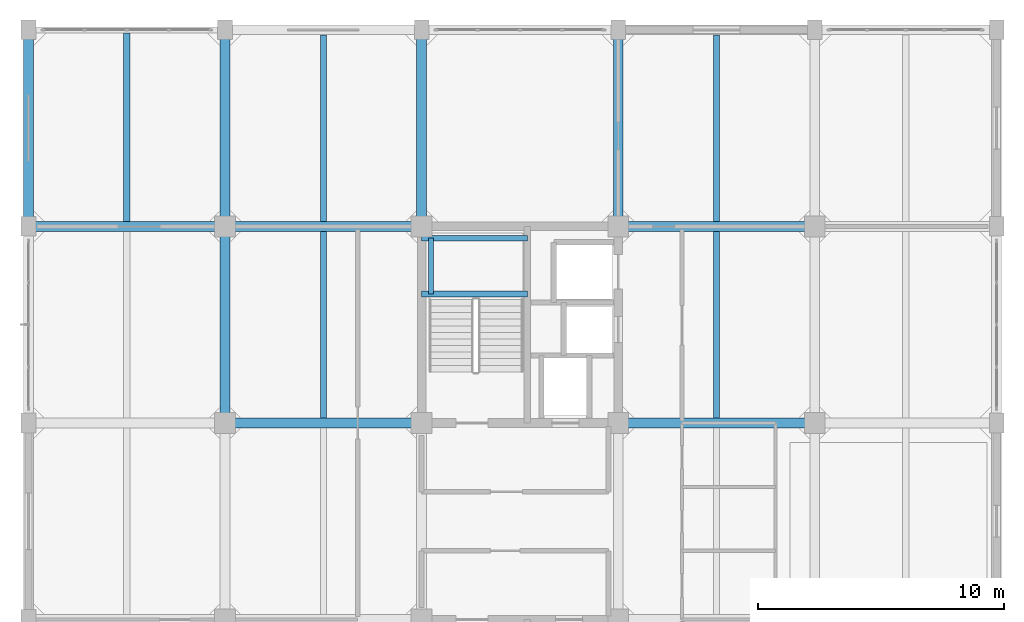
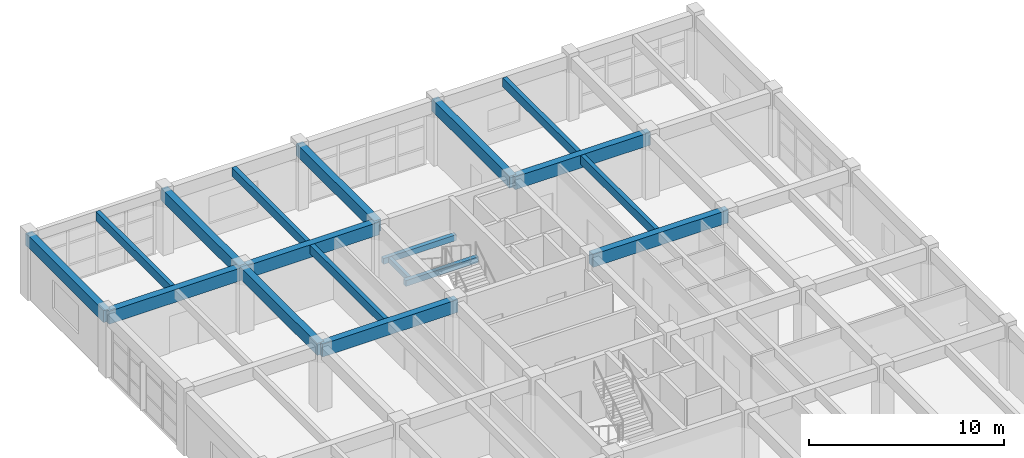
# One storey, part 12 of 27: 18 beams.
"""IFC4 building model written with IfcOpenShell, lengths in metres."""

from ifc_helpers import new_model, si_unit, direction, frame, origin, origin_2d, place, context, subcontext, project, spatial, rectangle, extrude, material, material_profile, profile_set, type_object, element, save


model = new_model("IFC4")

# Units and contexts
model_context = context("Model", 3, precision=1e-05, world=origin(), true_north=direction((0.0, 1.0)))
body_context = subcontext(model_context, "Body", "Model", "MODEL_VIEW")
ifc_project = project(units=[si_unit("LENGTHUNIT", "METRE"), si_unit("AREAUNIT", "SQUARE_METRE"), si_unit("VOLUMEUNIT", "CUBIC_METRE"), si_unit("PLANEANGLEUNIT", "RADIAN"), si_unit("MASSUNIT", "GRAM", prefix="KILO")], contexts=[model_context])

# Site, building, storey
site_placement = place(None, origin())
site = spatial("IfcSite", under=ifc_project, at=site_placement, CompositionType="ELEMENT")
building_placement = place(site_placement, origin())
building = spatial("IfcBuilding", under=site, at=building_placement, Name="Canggui Botanical Conservatory", CompositionType="ELEMENT")
storey_placement = place(building_placement, frame((0.0, 0.0, 23.39990234375)))
storey = spatial("IfcBuildingStorey", under=building, at=storey_placement, Name="L06", CompositionType="ELEMENT", Elevation=23.39990234375)

# Beams
ifc_material = material(Name="Concrete C35", Category="concrete")
ifc_material_profile_1 = material_profile(ifc_material, rectangle(XDim=0.25, YDim=0.550048828125, at=origin_2d()), Name="RB 250x550")
ifc_profile_set_1 = profile_set([ifc_material_profile_1], Name="Concrete C35")
beam_type_1 = type_object("IfcBeamType", Name="BM-JST03", PredefinedType="JOIST", material=ifc_profile_set_1)
beam_1_placement = place(storey_placement, frame((142.0, 66.205078125, 3.68505859375), z_axis=(0.0, 1.0, 0.0), x_axis=(-1.0, 0.0, 0.0)))
element("IfcBeam", 1, at=beam_1_placement, inside=storey, type_object=beam_type_1, Name="Secondary Floor Joist L06-1-5", PredefinedType="JOIST", context=body_context, shape_type="SweptSolid", body=[
    extrude(rectangle(XDim=0.25, YDim=0.550048828125, at=origin_2d()), origin(), (0.0, 0.0, 1.0), 7.6650390625),
])
for number, where, z_axis, x_axis, name in (
    (2, (150.0, 58.205078125, 3.68505859375), (0.0, 1.0, 0.0), (-1.0, 0.0, 0.0), "Secondary Floor Joist L06-2-4"),
    (3, (150.0, 66.205078125, 3.68505859375), (0.0, 1.0, 0.0), (-1.0, 0.0, 0.0), "Secondary Floor Joist L06-2-5"),
    (4, (166.0, 58.205078125, 3.68505859375), (0.0, 1.0, 0.0), (-1.0, 0.0, 0.0), "Secondary Floor Joist L06-4-4"),
    (5, (166.0, 66.205078125, 3.68505859375), (0.0, 1.0, 0.0), (-1.0, 0.0, 0.0), "Secondary Floor Joist L06-4-5"),
):
    element("IfcBeam", number, at=place(storey_placement, frame(where, z_axis=z_axis, x_axis=x_axis)), inside=storey, type_object=beam_type_1, Name=name, PredefinedType="JOIST", context=body_context, shape_type="SweptSolid", body=[
        extrude(rectangle(XDim=0.25, YDim=0.550048828125, at=origin_2d()), origin(), (0.0, 0.0, 1.0), 7.58984375),
    ])
ifc_material_profile_2 = material_profile(ifc_material, rectangle(XDim=0.39990234375, YDim=0.800048828125, at=origin_2d()), Name="RB 400x800")
ifc_profile_set_2 = profile_set([ifc_material_profile_2], Name="Concrete C35")
beam_type_2 = type_object("IfcBeamType", Name="BM-KL09", PredefinedType="BEAM", material=ifc_profile_set_2)
for number, where, z_axis, x_axis, name in (
    (6, (146.0, 58.0, 3.56005859375), (1.0, 0.0, 0.0), (0.0, 1.0, 0.0), "Frame Girder L06 Y58-2"),
    (7, (162.0, 58.0, 3.56005859375), (1.0, 0.0, 0.0), (0.0, 1.0, 0.0), "Frame Girder L06 Y58-4"),
    (8, (138.0, 66.0, 3.56005859375), (1.0, 0.0, 0.0), (0.0, 1.0, 0.0), "Frame Girder L06 Y66-1"),
    (9, (146.0, 66.0, 3.56005859375), (1.0, 0.0, 0.0), (0.0, 1.0, 0.0), "Frame Girder L06 Y66-2"),
    (10, (162.0, 66.0, 3.56005859375), (1.0, 0.0, 0.0), (0.0, 1.0, 0.0), "Frame Girder L06 Y66-4"),
):
    element("IfcBeam", number, at=place(storey_placement, frame(where, z_axis=z_axis, x_axis=x_axis)), inside=storey, type_object=beam_type_2, Name=name, PredefinedType="BEAM", context=body_context, shape_type="SweptSolid", body=[
        extrude(rectangle(XDim=0.39990234375, YDim=0.800048828125, at=origin_2d()), origin(), (0.0, 0.0, 1.0), 8.0),
    ])
ifc_material_profile_3 = material_profile(ifc_material, rectangle(XDim=0.39990234375, YDim=0.75, at=origin_2d()), Name="RB 400x750")
ifc_profile_set_3 = profile_set([ifc_material_profile_3], Name="Concrete C35")
beam_type_3 = type_object("IfcBeamType", Name="BM-KL10", PredefinedType="BEAM", material=ifc_profile_set_3)
for number, where, z_axis, x_axis, name in (
    (11, (138.0, 66.0, 3.585205078125), (0.0, 1.0, 0.0), (-1.0, 0.0, 0.0), "Frame Girder L06 X138-5"),
    (12, (146.0, 58.0, 3.585205078125), (0.0, 1.0, 0.0), (-1.0, 0.0, 0.0), "Frame Girder L06 X146-4"),
    (13, (146.0, 66.0, 3.585205078125), (0.0, 1.0, 0.0), (-1.0, 0.0, 0.0), "Frame Girder L06 X146-5"),
    (14, (154.0, 66.0, 3.585205078125), (0.0, 1.0, 0.0), (-1.0, 0.0, 0.0), "Frame Girder L06 X154-5"),
    (15, (162.0, 66.0, 3.585205078125), (0.0, 1.0, 0.0), (-1.0, 0.0, 0.0), "Frame Girder L06 X162-5"),
):
    element("IfcBeam", number, at=place(storey_placement, frame(where, z_axis=z_axis, x_axis=x_axis)), inside=storey, type_object=beam_type_3, Name=name, PredefinedType="BEAM", context=body_context, shape_type="SweptSolid", body=[
        extrude(rectangle(XDim=0.39990234375, YDim=0.75, at=origin_2d()), origin(), (0.0, 0.0, 1.0), 8.0),
    ])
ifc_material_profile_4 = material_profile(ifc_material, rectangle(XDim=0.239990234375, YDim=0.360107421875, at=origin_2d()), Name="RB 240x360")
ifc_profile_set_4 = profile_set([ifc_material_profile_4], Name="Concrete C35")
beam_type_4 = type_object("IfcBeamType", Name="BM-LIN01", PredefinedType="LINTEL", material=ifc_profile_set_4)
for number, where, z_axis, x_axis, name in (
    (16, (154.0, 63.24755859375, 1.72021484375), (1.0, 0.0, 0.0), (0.0, 1.0, 0.0), "ST-T2 Half-Landing Ledger Beam L06-1.1"),
    (17, (154.0, 65.52001953125, 1.72021484375), (1.0, 0.0, 0.0), (0.0, 1.0, 0.0), "ST-T2 Half-Landing Ledger Beam L06-1.2"),
):
    element("IfcBeam", number, at=place(storey_placement, frame(where, z_axis=z_axis, x_axis=x_axis)), inside=storey, type_object=beam_type_4, Name=name, PredefinedType="LINTEL", context=body_context, shape_type="SweptSolid", body=[
        extrude(rectangle(XDim=0.239990234375, YDim=0.360107421875, at=origin_2d()), origin(), (0.0, 0.0, 1.0), 4.300048828125),
    ])
ifc_material_profile_5 = material_profile(ifc_material, rectangle(XDim=0.199951171875, YDim=0.320068359375, at=origin_2d()), Name="RB 200x320")
ifc_profile_set_5 = profile_set([ifc_material_profile_5], Name="Concrete C35")
beam_type_5 = type_object("IfcBeamType", Name="BM-LIN02", PredefinedType="LINTEL", material=ifc_profile_set_5)
beam_2_placement = place(storey_placement, frame((154.3798828125, 63.24755859375, 1.72021484375), z_axis=(0.0, 1.0, 0.0), x_axis=(-1.0, 0.0, 0.0)))
element("IfcBeam", 18, at=beam_2_placement, inside=storey, type_object=beam_type_5, Name="ST-T2 Half-Landing Edge Ledger L06-1.3", PredefinedType="LINTEL", context=body_context, shape_type="SweptSolid", body=[
    extrude(rectangle(XDim=0.199951171875, YDim=0.320068359375, at=origin_2d()), origin(), (0.0, 0.0, 1.0), 2.2724609375),
])

save(model, "model.ifc")
